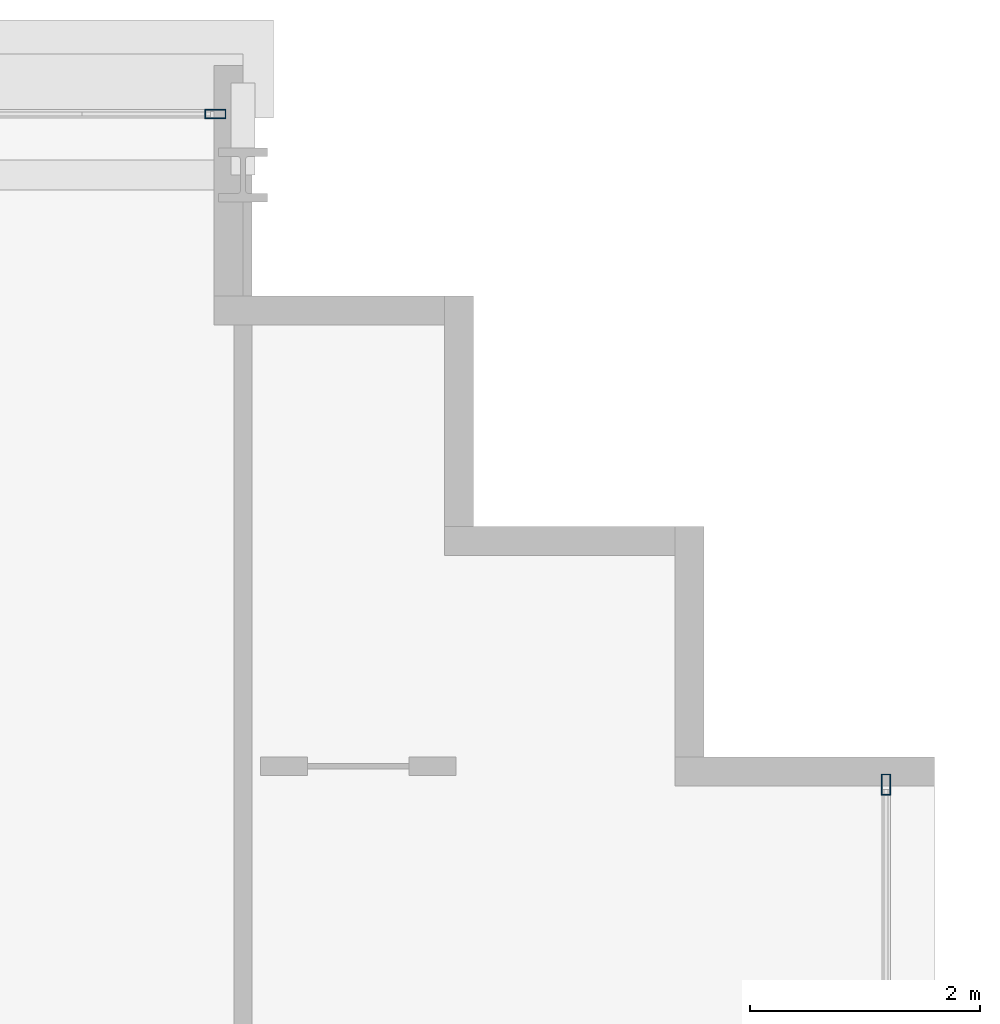
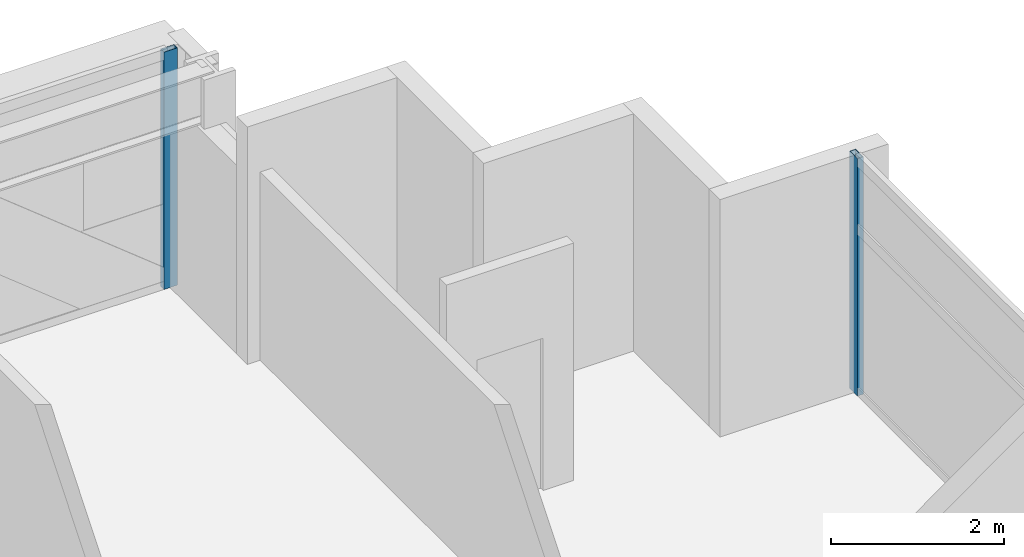
# One storey, part 22 of 35: 2 members, 2 elements without a shape of their own.
"""IFC4 building model written with IfcOpenShell, lengths in metres."""

from ifc_helpers import new_model, si_unit, direction, frame, origin, origin_2d, place, context, subcontext, project, spatial, hollow_rectangle, extrude, source, transform, mapped, material, layer, layer_set, material_profile, profile_set, type_object, element, aggregate, save


model = new_model("IFC4")

# Units and contexts
model_context = context("Model", 3, precision=1e-05, world=origin(), true_north=direction((0.0, 1.0)))
body_context = subcontext(model_context, "Body", "Model", "MODEL_VIEW")
ifc_project = project(units=[si_unit("LENGTHUNIT", "METRE"), si_unit("AREAUNIT", "SQUARE_METRE"), si_unit("VOLUMEUNIT", "CUBIC_METRE"), si_unit("PLANEANGLEUNIT", "RADIAN"), si_unit("MASSUNIT", "GRAM", prefix="KILO")], contexts=[model_context])

# Site, building, storey
site_placement = place(None, origin())
site = spatial("IfcSite", under=ifc_project, at=site_placement, CompositionType="ELEMENT")
building_placement = place(site_placement, origin())
building = spatial("IfcBuilding", under=site, at=building_placement, Name="Ocotamira Hotel", CompositionType="ELEMENT")
storey_placement = place(building_placement, frame((0.0, 0.0, 78.0)))
storey = spatial("IfcBuildingStorey", under=building, at=storey_placement, Name="L19", CompositionType="ELEMENT", Elevation=78.0)

# Curtain wall, member
ifc_material_1 = material(Name="Anodised pale-metal aluminium and solar glass", Category="aluminium")
ifc_layer = layer(ifc_material_1, 0.179931640625)
ifc_layer_set = layer_set([ifc_layer], Name="Anodised pale-metal aluminium and solar glass")
curtain_wall_type = type_object("IfcCurtainWallType", Name="CW-SYS2-Z1", PredefinedType="NOTDEFINED", material=ifc_layer_set)
curtain_wall_1_placement = place(storey_placement, origin())
curtain_wall_1 = element("IfcCurtainWall", 1, at=curtain_wall_1_placement, inside=storey, type_object=curtain_wall_type, Name="L19 Curtain Wall CW-2 CW-L19-N", PredefinedType="NOTDEFINED")
ifc_material_2 = material(Name="Anodised pale-metal aluminium 6063-T6", Category="aluminium")
ifc_material_profile = material_profile(ifc_material_2, hollow_rectangle(XDim=0.080078125, YDim=0.179931640625, WallThickness=0.006103515625, at=origin_2d()), Name="HSS180X80X6")
ifc_profile_set = profile_set([ifc_material_profile], Name="Anodised pale-metal aluminium 6063-T6")
member_type = type_object("IfcMemberType", Name="CWM-180X75", PredefinedType="MULLION", material=ifc_profile_set)
shared_shape = source(origin(), body_context, "Body", "SweptSolid", [
    extrude(hollow_rectangle(XDim=0.080078125, YDim=0.179931640625, WallThickness=0.006103515625, at=origin_2d()), origin(), (0.0, 0.0, 1.0), 3.35009765625),
])
member_1_placement = place(storey_placement, frame((49.760009765625, 49.580078125, 0.0), z_axis=(0.0, 0.0, 1.0), x_axis=(0.0, 1.0, 0.0)))
member_1 = element("IfcMember", 2, at=member_1_placement, type_object=member_type, Name="CW-2 mullion 10", PredefinedType="MULLION", context=body_context, shape_type="MappedRepresentation", body=[
    mapped(shared_shape, transform((0.0, 0.0, 0.0), scale=1.0)),
])
aggregate(curtain_wall_1, [member_1])

curtain_wall_2_placement = place(storey_placement, origin())
curtain_wall_2 = element("IfcCurtainWall", 3, at=curtain_wall_2_placement, inside=storey, type_object=curtain_wall_type, Name="L19 Curtain Wall CW-2 CW-L19-E", PredefinedType="NOTDEFINED")
member_2_placement = place(storey_placement, frame((55.580078125, 43.760009765625, 0.0), z_axis=(0.0, 0.0, 1.0), x_axis=(-1.0, 0.0, 0.0)))
member_2 = element("IfcMember", 4, at=member_2_placement, type_object=member_type, Name="CW-2 mullion 8", PredefinedType="MULLION", context=body_context, shape_type="MappedRepresentation", body=[
    mapped(shared_shape, transform((0.0, 0.0, 0.0), scale=1.0)),
])
aggregate(curtain_wall_2, [member_2])

save(model, "model.ifc")
